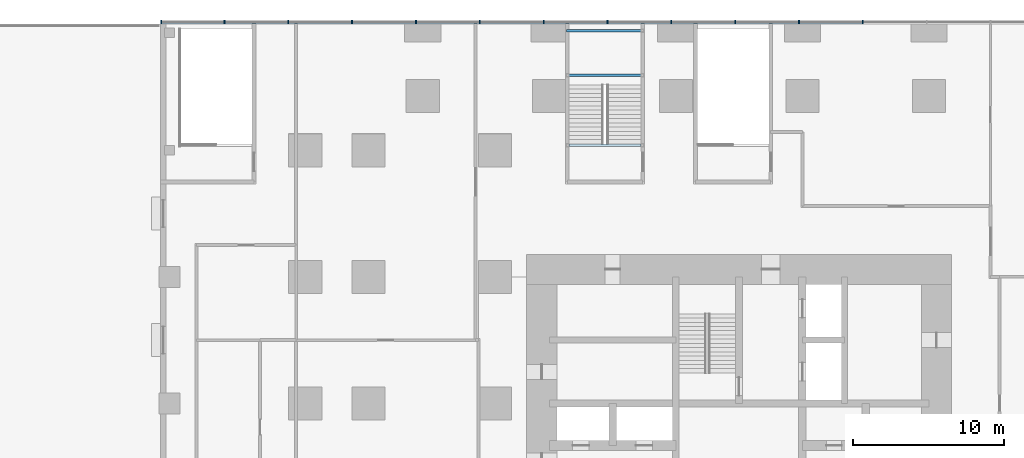
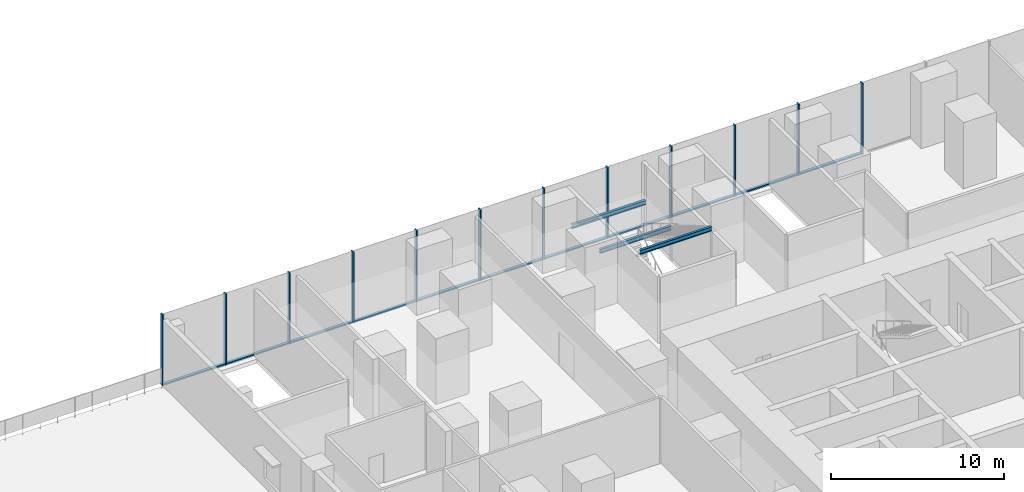
# One storey, part 6 of 18: 23 members, 3 beams, 1 element without a shape of its own.
"""IFC4 building model written with IfcOpenShell, lengths in metres."""

import ifcopenshell
import ifcopenshell.guid

model = None  # the IFC model being written
_history = None  # IfcOwnerHistory: only IFC2X3 demands one
_inside = {}  # id of a spatial element -> (the spatial element, [elements in it])
_under = {}  # id of a project, library or spatial element -> (it, [spatial elements below it])
_declared = {}  # id of a project -> (the project, [libraries it declares])
_typed = {}  # id of a type object -> (the type object, [elements of that type])
_made_of = {}  # id of a material, layer set ... -> (it, [elements and type objects made of it])


def new_model(schema):
    """Start an empty IFC model of exactly this schema.

    Asked for "IFC4X3", IfcOpenShell would pick the latest addendum, in which some entities
    have other attributes; the version numbers below select the first issue.
    IFC2X3 requires an IfcOwnerHistory on every rooted entity: one is made here for all.
    """
    global model, _history
    if schema == "IFC4X3":
        model = ifcopenshell.file(schema_version=(4, 3, 0, 0))
    else:
        model = ifcopenshell.file(schema=schema)
    _inside.clear()
    _under.clear()
    _declared.clear()
    _typed.clear()
    _made_of.clear()
    _history = None
    if model.schema == "IFC2X3":
        org = make("IfcOrganization", Name="unknown")
        user = make(
            "IfcPersonAndOrganization",
            ThePerson=make("IfcPerson", FamilyName="unknown"),
            TheOrganization=org,
        )
        app = make(
            "IfcApplication",
            ApplicationDeveloper=org,
            Version="unknown",
            ApplicationFullName="unknown",
            ApplicationIdentifier="unknown",
        )
        _history = make(
            "IfcOwnerHistory",
            OwningUser=user,
            OwningApplication=app,
            ChangeAction="ADDED",
            CreationDate=0,
        )
    return model


def make(cls, **values):
    """One entity of the class cls with the attributes given. An attribute that is None is left unset."""
    return model.create_entity(
        cls, **{name: value for name, value in values.items() if value is not None}
    )


def rooted(cls, **values):
    """An entity with a GlobalId (a new one), such as an element, a storey or a relation."""
    return make(cls, GlobalId=ifcopenshell.guid.new(), OwnerHistory=_history, **values)


def si_unit(unit_type, name, prefix=None):
    """IfcSIUnit, for example si_unit("LENGTHUNIT", "METRE", prefix="MILLI")."""
    return make("IfcSIUnit", UnitType=unit_type, Prefix=prefix, Name=name)


def assignment(units):
    """IfcUnitAssignment: the units of a project."""
    return None if units is None else make("IfcUnitAssignment", Units=units)


def point(xyz):
    """IfcCartesianPoint."""
    return None if xyz is None else make("IfcCartesianPoint", Coordinates=xyz)


def direction(xyz):
    """IfcDirection."""
    return None if xyz is None else make("IfcDirection", DirectionRatios=xyz)


def frame(location, z_axis=None, x_axis=None):
    """IfcAxis2Placement3D, a coordinate frame: its origin and axes. An axis left out is left unset."""
    return make(
        "IfcAxis2Placement3D",
        Location=point(location),
        Axis=direction(z_axis),
        RefDirection=direction(x_axis),
    )


def frame_2d(location, x_axis=None):
    """IfcAxis2Placement2D, a coordinate frame in the plane: its origin and x axis."""
    return make(
        "IfcAxis2Placement2D", Location=point(location), RefDirection=direction(x_axis)
    )


def origin():
    """The frame at (0, 0, 0) with its axes left unset."""
    return frame((0.0, 0.0, 0.0))


def origin_2d():
    """The frame at (0, 0) in the plane with its x axis left unset."""
    return frame_2d((0.0, 0.0))


def place(relative_to, where):
    """IfcLocalPlacement: puts the frame where relative to a parent placement (None: the world)."""
    return make(
        "IfcLocalPlacement", PlacementRelTo=relative_to, RelativePlacement=where
    )


def context(
    kind, dimensions, precision=None, world=None, true_north=None, identifier=None
):
    """IfcGeometricRepresentationContext, for example the 3D "Model" context."""
    return make(
        "IfcGeometricRepresentationContext",
        ContextIdentifier=identifier,
        ContextType=kind,
        CoordinateSpaceDimension=dimensions,
        Precision=precision,
        WorldCoordinateSystem=world,
        TrueNorth=true_north,
    )


def subcontext(parent, identifier, kind, view, scale=None):
    """IfcGeometricRepresentationSubContext, for example "Body" below "Model"."""
    return make(
        "IfcGeometricRepresentationSubContext",
        ContextIdentifier=identifier,
        ContextType=kind,
        ParentContext=parent,
        TargetScale=scale,
        TargetView=view,
    )


def project(units=None, contexts=None):
    """IfcProject with its units and contexts."""
    return rooted(
        "IfcProject",
        Name="project",
        RepresentationContexts=contexts,
        UnitsInContext=assignment(units),
    )


def spatial(cls, under=None, at=None, **own):
    """A site, building, storey or space (cls), placed at a placement, below another one or the project."""
    s = rooted(cls, ObjectPlacement=at, **own)
    if under is not None:
        _under.setdefault(under.id(), (under, []))[1].append(s)
    return s


def profile(cls, at=None, kind="AREA", **sizes):
    """A parametric profile (cls). Its sizes go by their IFC names, for example OverallWidth=200.0."""
    return make(cls, ProfileType=kind, Position=at, **sizes)


def rectangle(**sizes):
    """IfcRectangleProfileDef."""
    return profile("IfcRectangleProfileDef", **sizes)


def i_section(**sizes):
    """IfcIShapeProfileDef."""
    return profile("IfcIShapeProfileDef", **sizes)


def extrude(swept, where, along, depth):
    """IfcExtrudedAreaSolid: the profile swept, set in the frame where, extruded along a direction by depth."""
    return make(
        "IfcExtrudedAreaSolid",
        SweptArea=swept,
        Position=where,
        ExtrudedDirection=direction(along),
        Depth=depth,
    )


def shape(context_of_items, identifier, shape_type, items):
    """IfcShapeRepresentation: the items that make up one representation, for example the "Body"."""
    return make(
        "IfcShapeRepresentation",
        ContextOfItems=context_of_items,
        RepresentationIdentifier=identifier,
        RepresentationType=shape_type,
        Items=items,
    )


def material(Name=None, Category=None):
    """IfcMaterial."""
    return make("IfcMaterial", Name=Name, Category=Category)


def material_profile(
    of_material, cross_section, Name=None, Category=None, Priority=None
):
    """IfcMaterialProfile: a cross section and its material."""
    return make(
        "IfcMaterialProfile",
        Name=Name,
        Material=of_material,
        Profile=cross_section,
        Priority=Priority,
        Category=Category,
    )


def profile_set(profiles, Name=None, composite=None):
    """IfcMaterialProfileSet."""
    return make(
        "IfcMaterialProfileSet",
        Name=Name,
        MaterialProfiles=profiles,
        CompositeProfile=composite,
    )


def made_of(thing, what):
    """Note that an element or type object is made of a material, layer set ...; save() writes the relation."""
    if what is not None:
        _made_of.setdefault(what.id(), (what, []))[1].append(thing)
    return thing


def type_object(cls, material=None, **own):
    """A type object (cls), such as IfcWallType, which elements share."""
    return made_of(rooted(cls, **own), material)


def element(
    cls,
    number,
    at=None,
    inside=None,
    cuts=None,
    type_object=None,
    material=None,
    context=None,
    identifier="Body",
    shape_type=None,
    held_by="IfcProductDefinitionShape",
    body=None,
    shapes=None,
    **own,
):
    """One element of the class cls, such as IfcWall. Its Tag is "e" and its number.

    at: its placement. inside: the storey or other place that contains it. cuts: it is an
    opening in that element (IfcRelVoidsElement). A single representation is given by context,
    identifier, shape_type and body (its items); several are given by shapes. held_by: the class
    of the entity that holds the representations. save() writes the other relations.
    """
    e = rooted(cls, Tag="e%d" % number, ObjectPlacement=at, **own)
    if body is not None:
        shapes = [shape(context, identifier, shape_type, body)]
    if shapes is not None:
        e.Representation = make(held_by, Representations=shapes)
    if inside is not None:
        _inside.setdefault(inside.id(), (inside, []))[1].append(e)
    if cuts is not None:
        rooted(
            "IfcRelVoidsElement", RelatingBuildingElement=cuts, RelatedOpeningElement=e
        )
    if type_object is not None:
        _typed.setdefault(type_object.id(), (type_object, []))[1].append(e)
    return made_of(e, material)


def aggregate(whole, parts):
    """IfcRelAggregates: a whole, such as a stair, and the parts it consists of."""
    return rooted("IfcRelAggregates", RelatingObject=whole, RelatedObjects=parts)


def save(model, path):
    """Write the relations noted so far, then the file.

    IfcRelAggregates (storeys below a building ...), IfcRelContainedInSpatialStructure (elements
    in a storey), IfcRelDefinesByType, IfcRelAssociatesMaterial and IfcRelDeclares: one each for
    every whole, place, type object, material and project.
    """
    for whole, parts in _under.values():
        aggregate(whole, parts)
    for where, things in _inside.values():
        rooted(
            "IfcRelContainedInSpatialStructure",
            RelatedElements=things,
            RelatingStructure=where,
        )
    for kind, things in _typed.values():
        rooted("IfcRelDefinesByType", RelatedObjects=things, RelatingType=kind)
    for what, things in _made_of.values():
        rooted("IfcRelAssociatesMaterial", RelatedObjects=things, RelatingMaterial=what)
    for by, libraries in _declared.values():
        rooted("IfcRelDeclares", RelatingContext=by, RelatedDefinitions=libraries)
    model.write(path)


model = new_model("IFC4")

# Units and contexts
model_context = context("Model", 3, precision=1e-05, world=origin(), true_north=direction((0.0, 1.0)))
body_context = subcontext(model_context, "Body", "Model", "MODEL_VIEW")
ifc_project = project(units=[si_unit("LENGTHUNIT", "METRE"), si_unit("AREAUNIT", "SQUARE_METRE"), si_unit("VOLUMEUNIT", "CUBIC_METRE"), si_unit("PLANEANGLEUNIT", "RADIAN"), si_unit("MASSUNIT", "GRAM", prefix="KILO")], contexts=[model_context])

# Site, building, storey
site_placement = place(None, origin())
site = spatial("IfcSite", under=ifc_project, at=site_placement, CompositionType="ELEMENT")
building_placement = place(site_placement, origin())
building = spatial("IfcBuilding", under=site, at=building_placement, Name="Dunama Terrace Hotel", CompositionType="ELEMENT")
storey_placement = place(building_placement, frame((0.0, 0.0, 17.0)))
storey = spatial("IfcBuildingStorey", under=building, at=storey_placement, Name="L03", CompositionType="ELEMENT", Elevation=17.0)

# Curtain wall, members
ifc_material_1 = material(Name="Aluminium curtain wall system", Category="aluminium")
curtain_wall_type = type_object("IfcCurtainWallType", Name="Podium storefront glazing CW-E", PredefinedType="NOTDEFINED", material=ifc_material_1)
curtain_wall_placement = place(storey_placement, origin())
curtain_wall = element("IfcCurtainWall", 1, at=curtain_wall_placement, inside=storey, type_object=curtain_wall_type, Name="Podium storefront glazing CW-E L03", PredefinedType="NOTDEFINED")
ifc_material_2 = material(Name="Aluminium mullion", Category="aluminium")
ifc_material_profile_1 = material_profile(ifc_material_2, rectangle(XDim=0.080078125, YDim=0.25, at=origin_2d()), Name="CWE MULLION 80X250")
ifc_profile_set_1 = profile_set([ifc_material_profile_1], Name="Aluminium mullion")
member_type_1 = type_object("IfcMemberType", Name="CWE mullion 80x250", PredefinedType="MULLION", material=ifc_profile_set_1)
member_1_placement = place(storey_placement, frame((37.612060546875, 58.925048828125, 0.0), z_axis=(0.0, 0.0, 1.0), x_axis=(-1.0, 0.0, 0.0)))
member_1 = element("IfcMember", 2, at=member_1_placement, type_object=member_type_1, Name="CWE mullion", PredefinedType="MULLION", context=body_context, shape_type="SweptSolid", body=[
    extrude(rectangle(XDim=0.080078125, YDim=0.25, at=origin_2d()), origin(), (0.0, 0.0, 1.0), 5.0),
])
member_2_placement = place(storey_placement, frame((33.375, 58.925048828125, 0.0), z_axis=(0.0, 0.0, 1.0), x_axis=(-1.0, 0.0, 0.0)))
member_2 = element("IfcMember", 3, at=member_2_placement, type_object=member_type_1, Name="CWE mullion", PredefinedType="MULLION", context=body_context, shape_type="SweptSolid", body=[
    extrude(rectangle(XDim=0.080078125, YDim=0.25, at=origin_2d()), origin(), (0.0, 0.0, 1.0), 5.0),
])
member_3_placement = place(storey_placement, frame((29.136962890625, 58.925048828125, 0.0), z_axis=(0.0, 0.0, 1.0), x_axis=(-1.0, 0.0, 0.0)))
member_3 = element("IfcMember", 4, at=member_3_placement, type_object=member_type_1, Name="CWE mullion", PredefinedType="MULLION", context=body_context, shape_type="SweptSolid", body=[
    extrude(rectangle(XDim=0.080078125, YDim=0.25, at=origin_2d()), origin(), (0.0, 0.0, 1.0), 5.0),
])
member_4_placement = place(storey_placement, frame((24.89990234375, 58.925048828125, 0.0), z_axis=(0.0, 0.0, 1.0), x_axis=(-1.0, 0.0, 0.0)))
member_4 = element("IfcMember", 5, at=member_4_placement, type_object=member_type_1, Name="CWE mullion", PredefinedType="MULLION", context=body_context, shape_type="SweptSolid", body=[
    extrude(rectangle(XDim=0.080078125, YDim=0.25, at=origin_2d()), origin(), (0.0, 0.0, 1.0), 5.0),
])
member_5_placement = place(storey_placement, frame((20.6630859375, 58.925048828125, 0.0), z_axis=(0.0, 0.0, 1.0), x_axis=(-1.0, 0.0, 0.0)))
member_5 = element("IfcMember", 6, at=member_5_placement, type_object=member_type_1, Name="CWE mullion", PredefinedType="MULLION", context=body_context, shape_type="SweptSolid", body=[
    extrude(rectangle(XDim=0.080078125, YDim=0.25, at=origin_2d()), origin(), (0.0, 0.0, 1.0), 5.0),
])
member_6_placement = place(storey_placement, frame((16.425048828125, 58.925048828125, 0.0), z_axis=(0.0, 0.0, 1.0), x_axis=(-1.0, 0.0, 0.0)))
member_6 = element("IfcMember", 7, at=member_6_placement, type_object=member_type_1, Name="CWE mullion", PredefinedType="MULLION", context=body_context, shape_type="SweptSolid", body=[
    extrude(rectangle(XDim=0.080078125, YDim=0.25, at=origin_2d()), origin(), (0.0, 0.0, 1.0), 5.0),
])
member_7_placement = place(storey_placement, frame((12.18798828125, 58.925048828125, 0.0), z_axis=(0.0, 0.0, 1.0), x_axis=(-1.0, 0.0, 0.0)))
member_7 = element("IfcMember", 8, at=member_7_placement, type_object=member_type_1, Name="CWE mullion", PredefinedType="MULLION", context=body_context, shape_type="SweptSolid", body=[
    extrude(rectangle(XDim=0.080078125, YDim=0.25, at=origin_2d()), origin(), (0.0, 0.0, 1.0), 5.0),
])
member_8_placement = place(storey_placement, frame((7.949951171875, 58.925048828125, 0.0), z_axis=(0.0, 0.0, 1.0), x_axis=(-1.0, 0.0, 0.0)))
member_8 = element("IfcMember", 9, at=member_8_placement, type_object=member_type_1, Name="CWE mullion", PredefinedType="MULLION", context=body_context, shape_type="SweptSolid", body=[
    extrude(rectangle(XDim=0.080078125, YDim=0.25, at=origin_2d()), origin(), (0.0, 0.0, 1.0), 5.0),
])
member_9_placement = place(storey_placement, frame((3.7119140625, 58.925048828125, 0.0), z_axis=(0.0, 0.0, 1.0), x_axis=(-1.0, 0.0, 0.0)))
member_9 = element("IfcMember", 10, at=member_9_placement, type_object=member_type_1, Name="CWE mullion", PredefinedType="MULLION", context=body_context, shape_type="SweptSolid", body=[
    extrude(rectangle(XDim=0.080078125, YDim=0.25, at=origin_2d()), origin(), (0.0, 0.0, 1.0), 5.0),
])
member_10_placement = place(storey_placement, frame((-0.52490234375, 58.925048828125, 0.0), z_axis=(0.0, 0.0, 1.0), x_axis=(-1.0, 0.0, 0.0)))
member_10 = element("IfcMember", 11, at=member_10_placement, type_object=member_type_1, Name="CWE mullion", PredefinedType="MULLION", context=body_context, shape_type="SweptSolid", body=[
    extrude(rectangle(XDim=0.080078125, YDim=0.25, at=origin_2d()), origin(), (0.0, 0.0, 1.0), 5.0),
])
member_11_placement = place(storey_placement, frame((-4.762939453125, 58.925048828125, 0.0), z_axis=(0.0, 0.0, 1.0), x_axis=(-1.0, 0.0, 0.0)))
member_11 = element("IfcMember", 12, at=member_11_placement, type_object=member_type_1, Name="CWE mullion", PredefinedType="MULLION", context=body_context, shape_type="SweptSolid", body=[
    extrude(rectangle(XDim=0.080078125, YDim=0.25, at=origin_2d()), origin(), (0.0, 0.0, 1.0), 5.0),
])
member_12_placement = place(storey_placement, frame((-8.9599609375, 58.925048828125, 0.0), z_axis=(0.0, 0.0, 1.0), x_axis=(-1.0, 0.0, 0.0)))
member_12 = element("IfcMember", 13, at=member_12_placement, type_object=member_type_1, Name="CWE mullion", PredefinedType="MULLION", context=body_context, shape_type="SweptSolid", body=[
    extrude(rectangle(XDim=0.080078125, YDim=0.25, at=origin_2d()), origin(), (0.0, 0.0, 1.0), 5.0),
])
ifc_material_3 = material(Name="Aluminium transom", Category="aluminium")
ifc_material_profile_2 = material_profile(ifc_material_3, rectangle(XDim=0.199951171875, YDim=0.090087890625, at=origin_2d()), Name="CWE TRANSOM 200X90")
ifc_profile_set_2 = profile_set([ifc_material_profile_2], Name="Aluminium transom")
member_type_2 = type_object("IfcMemberType", Name="CWE transom 200x90", PredefinedType="USERDEFINED", material=ifc_profile_set_2)
member_13_placement = place(storey_placement, frame((37.572021484375, 58.925048828125, 0.044921875), z_axis=(-1.0, 0.0, 0.0), x_axis=(0.0, -1.0, 0.0)))
member_13 = element("IfcMember", 14, at=member_13_placement, type_object=member_type_2, Name="CWE transom", ObjectType="TRANSOM", PredefinedType="USERDEFINED", context=body_context, shape_type="SweptSolid", body=[
    extrude(rectangle(XDim=0.199951171875, YDim=0.090087890625, at=origin_2d()), origin(), (0.0, 0.0, 1.0), 4.156982421875),
])
member_14_placement = place(storey_placement, frame((33.3349609375, 58.925048828125, 0.044921875), z_axis=(-1.0, 0.0, 0.0), x_axis=(0.0, -1.0, 0.0)))
member_14 = element("IfcMember", 15, at=member_14_placement, type_object=member_type_2, Name="CWE transom", ObjectType="TRANSOM", PredefinedType="USERDEFINED", context=body_context, shape_type="SweptSolid", body=[
    extrude(rectangle(XDim=0.199951171875, YDim=0.090087890625, at=origin_2d()), origin(), (0.0, 0.0, 1.0), 4.157958984375),
])
member_15_placement = place(storey_placement, frame((29.097900390625, 58.925048828125, 0.044921875), z_axis=(-1.0, 0.0, 0.0), x_axis=(0.0, -1.0, 0.0)))
member_15 = element("IfcMember", 16, at=member_15_placement, type_object=member_type_2, Name="CWE transom", ObjectType="TRANSOM", PredefinedType="USERDEFINED", context=body_context, shape_type="SweptSolid", body=[
    extrude(rectangle(XDim=0.199951171875, YDim=0.090087890625, at=origin_2d()), origin(), (0.0, 0.0, 1.0), 4.157958984375),
])
member_16_placement = place(storey_placement, frame((24.860107421875, 58.925048828125, 0.044921875), z_axis=(-1.0, 0.0, 0.0), x_axis=(0.0, -1.0, 0.0)))
member_16 = element("IfcMember", 17, at=member_16_placement, type_object=member_type_2, Name="CWE transom", ObjectType="TRANSOM", PredefinedType="USERDEFINED", context=body_context, shape_type="SweptSolid", body=[
    extrude(rectangle(XDim=0.199951171875, YDim=0.090087890625, at=origin_2d()), origin(), (0.0, 0.0, 1.0), 4.1572265625),
])
member_17_placement = place(storey_placement, frame((20.623046875, 58.925048828125, 0.044921875), z_axis=(-1.0, 0.0, 0.0), x_axis=(0.0, -1.0, 0.0)))
member_17 = element("IfcMember", 18, at=member_17_placement, type_object=member_type_2, Name="CWE transom", ObjectType="TRANSOM", PredefinedType="USERDEFINED", context=body_context, shape_type="SweptSolid", body=[
    extrude(rectangle(XDim=0.199951171875, YDim=0.090087890625, at=origin_2d()), origin(), (0.0, 0.0, 1.0), 4.157958984375),
])
member_18_placement = place(storey_placement, frame((16.385009765625, 58.925048828125, 0.044921875), z_axis=(-1.0, 0.0, 0.0), x_axis=(0.0, -1.0, 0.0)))
member_18 = element("IfcMember", 19, at=member_18_placement, type_object=member_type_2, Name="CWE transom", ObjectType="TRANSOM", PredefinedType="USERDEFINED", context=body_context, shape_type="SweptSolid", body=[
    extrude(rectangle(XDim=0.199951171875, YDim=0.090087890625, at=origin_2d()), origin(), (0.0, 0.0, 1.0), 4.157958984375),
])
member_19_placement = place(storey_placement, frame((12.14794921875, 58.925048828125, 0.044921875), z_axis=(-1.0, 0.0, 0.0), x_axis=(0.0, -1.0, 0.0)))
member_19 = element("IfcMember", 20, at=member_19_placement, type_object=member_type_2, Name="CWE transom", ObjectType="TRANSOM", PredefinedType="USERDEFINED", context=body_context, shape_type="SweptSolid", body=[
    extrude(rectangle(XDim=0.199951171875, YDim=0.090087890625, at=origin_2d()), origin(), (0.0, 0.0, 1.0), 4.157958984375),
])
member_20_placement = place(storey_placement, frame((7.909912109375, 58.925048828125, 0.044921875), z_axis=(-1.0, 0.0, 0.0), x_axis=(0.0, -1.0, 0.0)))
member_20 = element("IfcMember", 21, at=member_20_placement, type_object=member_type_2, Name="CWE transom", ObjectType="TRANSOM", PredefinedType="USERDEFINED", context=body_context, shape_type="SweptSolid", body=[
    extrude(rectangle(XDim=0.199951171875, YDim=0.090087890625, at=origin_2d()), origin(), (0.0, 0.0, 1.0), 4.157958984375),
])
member_21_placement = place(storey_placement, frame((3.672119140625, 58.925048828125, 0.044921875), z_axis=(-1.0, 0.0, 0.0), x_axis=(0.0, -1.0, 0.0)))
member_21 = element("IfcMember", 22, at=member_21_placement, type_object=member_type_2, Name="CWE transom", ObjectType="TRANSOM", PredefinedType="USERDEFINED", context=body_context, shape_type="SweptSolid", body=[
    extrude(rectangle(XDim=0.199951171875, YDim=0.090087890625, at=origin_2d()), origin(), (0.0, 0.0, 1.0), 4.1572265625),
])
member_22_placement = place(storey_placement, frame((-0.56494140625, 58.925048828125, 0.044921875), z_axis=(-1.0, 0.0, 0.0), x_axis=(0.0, -1.0, 0.0)))
member_22 = element("IfcMember", 23, at=member_22_placement, type_object=member_type_2, Name="CWE transom", ObjectType="TRANSOM", PredefinedType="USERDEFINED", context=body_context, shape_type="SweptSolid", body=[
    extrude(rectangle(XDim=0.199951171875, YDim=0.090087890625, at=origin_2d()), origin(), (0.0, 0.0, 1.0), 4.157958984375),
])
member_23_placement = place(storey_placement, frame((-4.802978515625, 58.925048828125, 0.044921875), z_axis=(-1.0, 0.0, 0.0), x_axis=(0.0, -1.0, 0.0)))
member_23 = element("IfcMember", 24, at=member_23_placement, type_object=member_type_2, Name="CWE transom", ObjectType="TRANSOM", PredefinedType="USERDEFINED", context=body_context, shape_type="SweptSolid", body=[
    extrude(rectangle(XDim=0.199951171875, YDim=0.090087890625, at=origin_2d()), origin(), (0.0, 0.0, 1.0), 4.116943359375),
])
aggregate(curtain_wall, [member_1, member_2, member_3, member_4, member_5, member_6, member_7, member_8, member_9, member_10, member_11, member_12, member_13, member_14, member_15, member_16, member_17, member_18, member_19, member_20, member_21, member_22, member_23])

# Beams
ifc_material_4 = material(Name="Steel S355", Category="steel")
ifc_material_profile_3 = material_profile(ifc_material_4, i_section(OverallWidth=0.1650390625, OverallDepth=0.303466796875, WebThickness=0.006103515625, FlangeThickness=0.01025390625, FilletRadius=0.0087890625, at=origin_2d()), Name="UB 305x165x40")
ifc_profile_set_3 = profile_set([ifc_material_profile_3], Name="Steel S355")
beam_type = type_object("IfcBeamType", Name="Stair beam UB 305x165x40", PredefinedType="BEAM", material=ifc_profile_set_3)
for number, where, z_axis, x_axis, name in (
    (25, (18.125, 50.742431640625, 4.848388671875), (1.0, 0.0, 0.0), (0.0, 1.0, 0.0), "Stair trimmer P5 at L04"),
    (26, (18.125, 55.387451171875, 2.098388671875), (1.0, 0.0, 0.0), (0.0, 1.0, 0.0), "Stair landing beam P5 L03 front"),
):
    element("IfcBeam", number, at=place(storey_placement, frame(where, z_axis=z_axis, x_axis=x_axis)), inside=storey, type_object=beam_type, Name=name, PredefinedType="BEAM", context=body_context, shape_type="SweptSolid", body=[
        extrude(i_section(OverallWidth=0.1650390625, OverallDepth=0.303466796875, WebThickness=0.006103515625, FlangeThickness=0.01025390625, FilletRadius=0.0087890625, at=origin_2d()), origin(), (0.0, 0.0, 1.0), 4.75),
    ])
beam_placement = place(storey_placement, frame((17.949951171875, 58.35009765625, 2.098388671875), z_axis=(1.0, 0.0, 0.0), x_axis=(0.0, 1.0, 0.0)))
element("IfcBeam", 27, at=beam_placement, inside=storey, type_object=beam_type, Name="Stair landing beam P5 L03 far", PredefinedType="BEAM", context=body_context, shape_type="SweptSolid", body=[
    extrude(i_section(OverallWidth=0.1650390625, OverallDepth=0.303466796875, WebThickness=0.006103515625, FlangeThickness=0.01025390625, FilletRadius=0.0087890625, at=origin_2d()), origin(), (0.0, 0.0, 1.0), 4.925048828125),
])

save(model, "model.ifc")
